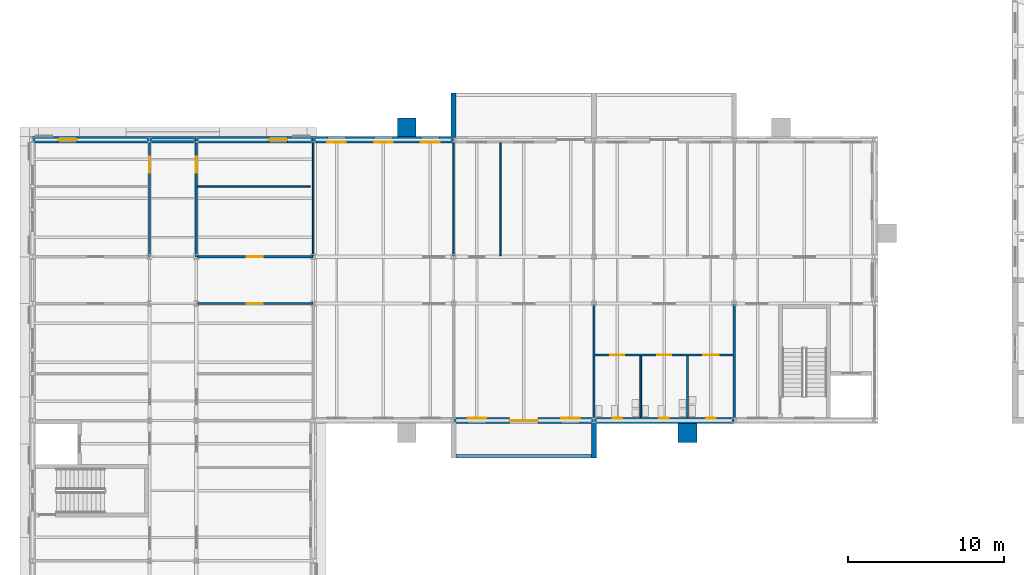
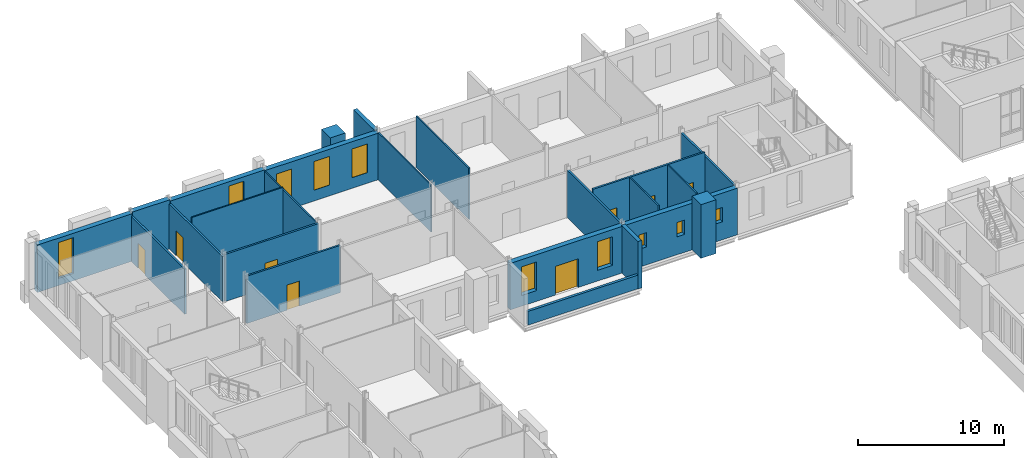
# One storey, part 82 of 131: 24 walls, 10 windows, 8 doors, 18 openings.
"""IFC4 building model written with IfcOpenShell, lengths in metres."""

from ifc_helpers import new_model, si_unit, direction, frame, frame_2d, origin, place, context, subcontext, project, spatial, rectangle, extrude, material, layer, layer_set, type_object, element, fill, save


model = new_model("IFC4")

# Units and contexts
model_context = context("Model", 3, precision=1e-05, world=origin(), true_north=direction((0.0, 1.0)))
body_context = subcontext(model_context, "Body", "Model", "MODEL_VIEW")
ifc_project = project(units=[si_unit("LENGTHUNIT", "METRE"), si_unit("AREAUNIT", "SQUARE_METRE"), si_unit("VOLUMEUNIT", "CUBIC_METRE"), si_unit("PLANEANGLEUNIT", "RADIAN"), si_unit("MASSUNIT", "GRAM", prefix="KILO")], contexts=[model_context])

# Site, building, storey
site_placement = place(None, origin())
site = spatial("IfcSite", under=ifc_project, at=site_placement, CompositionType="ELEMENT")
building_placement = place(site_placement, origin())
building = spatial("IfcBuilding", under=site, at=building_placement, Name="Golden Quay Civic Hall", CompositionType="ELEMENT")
storey_placement = place(building_placement, frame((0.0, 0.0, 9.89990234375)))
storey = spatial("IfcBuildingStorey", under=building, at=storey_placement, Name="L02", CompositionType="ELEMENT", Elevation=9.89990234375)

# Wall
ifc_material_1 = material(Name="Brick, dark clay facing", Category="masonry")
ifc_layer_1 = layer(ifc_material_1, 0.199951171875)
ifc_layer_set_1 = layer_set([ifc_layer_1], Name="Brick balustrade wall 200")
wall_type_1 = type_object("IfcWallType", Name="Brick balustrade wall 200", PredefinedType="STANDARD", material=ifc_layer_set_1)
wall_1_placement = place(storey_placement, frame((27.14990234375, 60.719970703125, 0.0), z_axis=(0.0, 0.0, 1.0), x_axis=(1.0, 0.0, 0.0)))
element("IfcWall", 1, at=wall_1_placement, inside=storey, type_object=wall_type_1, Name="Brick balustrade wall 200 L02 1", PredefinedType="STANDARD", context=body_context, shape_type="SweptSolid", body=[
    extrude(rectangle(XDim=8.7001953125, YDim=0.199951171875, at=frame_2d((4.35009765625, 0.0))), origin(), (0.0, 0.0, 1.0), 1.150146484375),
])

# Wall, openings, windows
ifc_material_2 = material(Name="Brick, dark clay facing", Category="masonry")
ifc_layer_2 = layer(ifc_material_2, 0.39990234375)
ifc_layer_set_2 = layer_set([ifc_layer_2], Name="Brick external wall 400")
wall_type_2 = type_object("IfcWallType", Name="Brick external wall 400", PredefinedType="STANDARD", material=ifc_layer_set_2)
wall_2_placement = place(storey_placement, frame((18.00927734375, 81.0, 0.0), z_axis=(0.0, 0.0, 1.0), x_axis=(1.0, 0.0, 0.0)))
wall_2 = element("IfcWall", 2, at=wall_2_placement, inside=storey, type_object=wall_type_2, Name="Brick external wall 400 L02 2", PredefinedType="STANDARD", context=body_context, shape_type="SweptSolid", body=[
    extrude(rectangle(XDim=8.981689453125, YDim=0.39990234375, at=frame_2d((4.49072265625, 0.0))), origin(), (0.0, 0.0, 1.0), 3.900146484375),
])
opening_1_placement = place(wall_2_placement, frame((0.890869140625, 0.0, 0.89990234375)))
opening_1 = element("IfcOpeningElement", 3, at=opening_1_placement, cuts=wall_2, Name="Opening WN7", PredefinedType="OPENING", context=body_context, shape_type="SweptSolid", body=[
    extrude(rectangle(XDim=1.199951171875, YDim=2.39990234375, at=frame_2d((0.60009765625, 1.199951171875))), frame((0.0, 0.2099609375, 0.0), z_axis=(0.0, -1.0, 0.0), x_axis=(1.0, 0.0, 0.0)), (0.0, 0.0, 1.0), 0.419921875),
])
opening_2_placement = place(wall_2_placement, frame((3.890869140625, 0.0, 0.89990234375)))
opening_2 = element("IfcOpeningElement", 4, at=opening_2_placement, cuts=wall_2, Name="Opening WN7", PredefinedType="OPENING", context=body_context, shape_type="SweptSolid", body=[
    extrude(rectangle(XDim=1.199951171875, YDim=2.39990234375, at=frame_2d((0.60009765625, 1.199951171875))), frame((0.0, 0.2099609375, 0.0), z_axis=(0.0, -1.0, 0.0), x_axis=(1.0, 0.0, 0.0)), (0.0, 0.0, 1.0), 0.419921875),
])
opening_3_placement = place(wall_2_placement, frame((6.890869140625, 0.0, 0.89990234375)))
opening_3 = element("IfcOpeningElement", 5, at=opening_3_placement, cuts=wall_2, Name="Opening WN7", PredefinedType="OPENING", context=body_context, shape_type="SweptSolid", body=[
    extrude(rectangle(XDim=1.199951171875, YDim=2.39990234375, at=frame_2d((0.60009765625, 1.199951171875))), frame((0.0, 0.2099609375, 0.0), z_axis=(0.0, -1.0, 0.0), x_axis=(1.0, 0.0, 0.0)), (0.0, 0.0, 1.0), 0.419921875),
])
ifc_material_3 = material(Name="Aluminium frame, double glazed", Category="aluminium")
window_type_1 = type_object("IfcWindowType", Name="Window 1200 x 2400", PartitioningType="SINGLE_PANEL", PredefinedType="WINDOW", material=ifc_material_3)
window_1_placement = place(opening_1_placement, origin())
window_1 = element("IfcWindow", 6, at=window_1_placement, inside=storey, type_object=window_type_1, Name="Window 1200 x 2400 L02 4", OverallHeight=2.39990234375, OverallWidth=1.199951171875, PartitioningType="SINGLE_PANEL", PredefinedType="WINDOW", context=body_context, shape_type="SweptSolid", body=[
    extrude(rectangle(XDim=1.199951171875, YDim=2.39990234375, at=frame_2d((0.60009765625, 1.199951171875))), frame((0.0, -0.119873046875, 0.0), z_axis=(0.0, -1.0, 0.0), x_axis=(1.0, 0.0, 0.0)), (0.0, 0.0, 1.0), 0.06005859375),
])
fill(opening_1, window_1)
window_2_placement = place(opening_2_placement, origin())
window_2 = element("IfcWindow", 7, at=window_2_placement, inside=storey, type_object=window_type_1, Name="Window 1200 x 2400 L02 5", OverallHeight=2.39990234375, OverallWidth=1.199951171875, PartitioningType="SINGLE_PANEL", PredefinedType="WINDOW", context=body_context, shape_type="SweptSolid", body=[
    extrude(rectangle(XDim=1.199951171875, YDim=2.39990234375, at=frame_2d((0.60009765625, 1.199951171875))), frame((0.0, -0.119873046875, 0.0), z_axis=(0.0, -1.0, 0.0), x_axis=(1.0, 0.0, 0.0)), (0.0, 0.0, 1.0), 0.06005859375),
])
fill(opening_2, window_2)
window_3_placement = place(opening_3_placement, origin())
window_3 = element("IfcWindow", 8, at=window_3_placement, inside=storey, type_object=window_type_1, Name="Window 1200 x 2400 L02 6", OverallHeight=2.39990234375, OverallWidth=1.199951171875, PartitioningType="SINGLE_PANEL", PredefinedType="WINDOW", context=body_context, shape_type="SweptSolid", body=[
    extrude(rectangle(XDim=1.199951171875, YDim=2.39990234375, at=frame_2d((0.60009765625, 1.199951171875))), frame((0.0, -0.119873046875, 0.0), z_axis=(0.0, -1.0, 0.0), x_axis=(1.0, 0.0, 0.0)), (0.0, 0.0, 1.0), 0.06005859375),
])
fill(opening_3, window_3)

# Wall, openings, door, windows
wall_3_placement = place(storey_placement, frame((35.990966796875, 63.0, 0.0), z_axis=(0.0, 0.0, 1.0), x_axis=(-1.0, 0.0, 0.0)))
wall_3 = element("IfcWall", 9, at=wall_3_placement, inside=storey, type_object=wall_type_2, Name="Brick external wall 400 L02 9", PredefinedType="STANDARD", context=body_context, shape_type="SweptSolid", body=[
    extrude(rectangle(XDim=8.98193359375, YDim=0.39990234375, at=frame_2d((4.490966796875, 0.0))), origin(), (0.0, 0.0, 1.0), 3.900146484375),
])
opening_4_placement = place(wall_3_placement, frame((3.591064453125, 0.0, 0.0)))
opening_4 = element("IfcOpeningElement", 10, at=opening_4_placement, cuts=wall_3, Name="Opening L02-D003", PredefinedType="OPENING", context=body_context, shape_type="SweptSolid", body=[
    extrude(rectangle(XDim=1.800048828125, YDim=2.39990234375, at=frame_2d((0.89990234375, 1.199951171875))), frame((0.0, 0.2099609375, 0.0), z_axis=(0.0, -1.0, 0.0), x_axis=(1.0, 0.0, 0.0)), (0.0, 0.0, 1.0), 0.419921875),
])
opening_5_placement = place(wall_3_placement, frame((6.89111328125, 0.0, 0.89990234375)))
opening_5 = element("IfcOpeningElement", 11, at=opening_5_placement, cuts=wall_3, Name="Opening WN7", PredefinedType="OPENING", context=body_context, shape_type="SweptSolid", body=[
    extrude(rectangle(XDim=1.199951171875, YDim=2.39990234375, at=frame_2d((0.60009765625, 1.199951171875))), frame((0.0, 0.2099609375, 0.0), z_axis=(0.0, -1.0, 0.0), x_axis=(1.0, 0.0, 0.0)), (0.0, 0.0, 1.0), 0.419921875),
])
opening_6_placement = place(wall_3_placement, frame((0.89111328125, 0.0, 0.89990234375)))
opening_6 = element("IfcOpeningElement", 12, at=opening_6_placement, cuts=wall_3, Name="Opening WN7", PredefinedType="OPENING", context=body_context, shape_type="SweptSolid", body=[
    extrude(rectangle(XDim=1.199951171875, YDim=2.39990234375, at=frame_2d((0.60009765625, 1.199951171875))), frame((0.0, 0.2099609375, 0.0), z_axis=(0.0, -1.0, 0.0), x_axis=(1.0, 0.0, 0.0)), (0.0, 0.0, 1.0), 0.419921875),
])
ifc_material_4 = material(Name="Aluminium frame, glazed", Category="aluminium")
door_type_1 = type_object("IfcDoorType", Name="Glazed double terrace door 1800 x 2400", OperationType="DOUBLE_DOOR_SINGLE_SWING", PredefinedType="DOOR", material=ifc_material_4)
door_1_placement = place(opening_4_placement, origin())
door_1 = element("IfcDoor", 13, at=door_1_placement, inside=storey, type_object=door_type_1, Name="Door L02-D003", OperationType="DOUBLE_DOOR_SINGLE_SWING", OverallHeight=2.39990234375, OverallWidth=1.800048828125, PredefinedType="DOOR", context=body_context, shape_type="SweptSolid", body=[
    extrude(rectangle(XDim=1.800048828125, YDim=2.39990234375, at=frame_2d((0.89990234375, 1.199951171875))), frame((0.0, 0.02490234375, 0.0), z_axis=(0.0, -1.0, 0.0), x_axis=(1.0, 0.0, 0.0)), (0.0, 0.0, 1.0), 0.050048828125),
])
fill(opening_4, door_1)
window_4_placement = place(opening_5_placement, origin())
window_4 = element("IfcWindow", 14, at=window_4_placement, inside=storey, type_object=window_type_1, Name="Window 1200 x 2400 L02 19", OverallHeight=2.39990234375, OverallWidth=1.199951171875, PartitioningType="SINGLE_PANEL", PredefinedType="WINDOW", context=body_context, shape_type="SweptSolid", body=[
    extrude(rectangle(XDim=1.199951171875, YDim=2.39990234375, at=frame_2d((0.60009765625, 1.199951171875))), frame((0.0, -0.119873046875, 0.0), z_axis=(0.0, -1.0, 0.0), x_axis=(1.0, 0.0, 0.0)), (0.0, 0.0, 1.0), 0.06005859375),
])
fill(opening_5, window_4)
window_5_placement = place(opening_6_placement, origin())
window_5 = element("IfcWindow", 15, at=window_5_placement, inside=storey, type_object=window_type_1, Name="Window 1200 x 2400 L02 20", OverallHeight=2.39990234375, OverallWidth=1.199951171875, PartitioningType="SINGLE_PANEL", PredefinedType="WINDOW", context=body_context, shape_type="SweptSolid", body=[
    extrude(rectangle(XDim=1.199951171875, YDim=2.39990234375, at=frame_2d((0.60009765625, 1.199951171875))), frame((0.0, -0.119873046875, 0.0), z_axis=(0.0, -1.0, 0.0), x_axis=(1.0, 0.0, 0.0)), (0.0, 0.0, 1.0), 0.06005859375),
])
fill(opening_6, window_5)

# Wall, openings, windows
wall_4_placement = place(storey_placement, frame((44.990966796875, 63.0, 0.0), z_axis=(0.0, 0.0, 1.0), x_axis=(-1.0, 0.0, 0.0)))
wall_4 = element("IfcWall", 16, at=wall_4_placement, inside=storey, type_object=wall_type_2, Name="Brick external wall 400 L02 10", PredefinedType="STANDARD", context=body_context, shape_type="SweptSolid", body=[
    extrude(rectangle(XDim=8.98193359375, YDim=0.39990234375, at=frame_2d((4.490966796875, 0.0))), origin(), (0.0, 0.0, 1.0), 3.900146484375),
])
opening_7_placement = place(wall_4_placement, frame((7.19091796875, 0.0, 1.5)))
opening_7 = element("IfcOpeningElement", 17, at=opening_7_placement, cuts=wall_4, Name="Opening WN1", PredefinedType="OPENING", context=body_context, shape_type="SweptSolid", body=[
    extrude(rectangle(XDim=0.60009765625, YDim=1.199951171875, at=frame_2d((0.300048828125, 0.60009765625))), frame((0.0, 0.2099609375, 0.0), z_axis=(0.0, -1.0, 0.0), x_axis=(1.0, 0.0, 0.0)), (0.0, 0.0, 1.0), 0.419921875),
])
opening_8_placement = place(wall_4_placement, frame((4.19091796875, 0.0, 1.5)))
opening_8 = element("IfcOpeningElement", 18, at=opening_8_placement, cuts=wall_4, Name="Opening WN1", PredefinedType="OPENING", context=body_context, shape_type="SweptSolid", body=[
    extrude(rectangle(XDim=0.60009765625, YDim=1.199951171875, at=frame_2d((0.300048828125, 0.60009765625))), frame((0.0, 0.2099609375, 0.0), z_axis=(0.0, -1.0, 0.0), x_axis=(1.0, 0.0, 0.0)), (0.0, 0.0, 1.0), 0.419921875),
])
opening_9_placement = place(wall_4_placement, frame((1.19091796875, 0.0, 1.5)))
opening_9 = element("IfcOpeningElement", 19, at=opening_9_placement, cuts=wall_4, Name="Opening WN1", PredefinedType="OPENING", context=body_context, shape_type="SweptSolid", body=[
    extrude(rectangle(XDim=0.60009765625, YDim=1.199951171875, at=frame_2d((0.300048828125, 0.60009765625))), frame((0.0, 0.2099609375, 0.0), z_axis=(0.0, -1.0, 0.0), x_axis=(1.0, 0.0, 0.0)), (0.0, 0.0, 1.0), 0.419921875),
])
ifc_material_5 = material(Name="Aluminium frame, double glazed", Category="aluminium")
window_type_2 = type_object("IfcWindowType", Name="WC window 600 x 1200", PartitioningType="SINGLE_PANEL", PredefinedType="WINDOW", material=ifc_material_5)
window_6_placement = place(opening_7_placement, origin())
window_6 = element("IfcWindow", 20, at=window_6_placement, inside=storey, type_object=window_type_2, Name="WC window 600 x 1200 L02 5", OverallHeight=1.199951171875, OverallWidth=0.60009765625, PartitioningType="SINGLE_PANEL", PredefinedType="WINDOW", context=body_context, shape_type="SweptSolid", body=[
    extrude(rectangle(XDim=0.60009765625, YDim=1.199951171875, at=frame_2d((0.300048828125, 0.60009765625))), frame((0.0, -0.119873046875, 0.0), z_axis=(0.0, -1.0, 0.0), x_axis=(1.0, 0.0, 0.0)), (0.0, 0.0, 1.0), 0.06005859375),
])
fill(opening_7, window_6)
window_7_placement = place(opening_8_placement, origin())
window_7 = element("IfcWindow", 21, at=window_7_placement, inside=storey, type_object=window_type_2, Name="WC window 600 x 1200 L02 6", OverallHeight=1.199951171875, OverallWidth=0.60009765625, PartitioningType="SINGLE_PANEL", PredefinedType="WINDOW", context=body_context, shape_type="SweptSolid", body=[
    extrude(rectangle(XDim=0.60009765625, YDim=1.199951171875, at=frame_2d((0.300048828125, 0.60009765625))), frame((0.0, -0.119873046875, 0.0), z_axis=(0.0, -1.0, 0.0), x_axis=(1.0, 0.0, 0.0)), (0.0, 0.0, 1.0), 0.06005859375),
])
fill(opening_8, window_7)
window_8_placement = place(opening_9_placement, origin())
window_8 = element("IfcWindow", 22, at=window_8_placement, inside=storey, type_object=window_type_2, Name="WC window 600 x 1200 L02 7", OverallHeight=1.199951171875, OverallWidth=0.60009765625, PartitioningType="SINGLE_PANEL", PredefinedType="WINDOW", context=body_context, shape_type="SweptSolid", body=[
    extrude(rectangle(XDim=0.60009765625, YDim=1.199951171875, at=frame_2d((0.300048828125, 0.60009765625))), frame((0.0, -0.119873046875, 0.0), z_axis=(0.0, -1.0, 0.0), x_axis=(1.0, 0.0, 0.0)), (0.0, 0.0, 1.0), 0.06005859375),
])
fill(opening_9, window_8)

# Walls
ifc_material_6 = material(Name="Brick, dark clay facing", Category="masonry")
ifc_layer_3 = layer(ifc_material_6, 0.300048828125)
ifc_layer_set_3 = layer_set([ifc_layer_3], Name="Brick loggia wall 300")
wall_type_3 = type_object("IfcWallType", Name="Brick loggia wall 300", PredefinedType="STANDARD", material=ifc_layer_set_3)
wall_5_placement = place(storey_placement, frame((36.0, 62.864990234375, 0.0), z_axis=(0.0, 0.0, 1.0), x_axis=(0.0, -1.0, 0.0)))
element("IfcWall", 23, at=wall_5_placement, inside=storey, type_object=wall_type_3, Name="Brick loggia wall 300 L02 2", PredefinedType="STANDARD", context=body_context, shape_type="SweptSolid", body=[
    extrude(rectangle(XDim=2.264892578125, YDim=0.300048828125, at=frame_2d((1.13232421875, 0.0))), origin(), (0.0, 0.0, 1.0), 3.97021484375),
])
wall_6_placement = place(storey_placement, frame((27.0, 81.135009765625, 0.0), z_axis=(0.0, 0.0, 1.0), x_axis=(0.0, 1.0, 0.0)))
element("IfcWall", 24, at=wall_6_placement, inside=storey, type_object=wall_type_3, Name="Brick loggia wall 300 L02 3", PredefinedType="STANDARD", context=body_context, shape_type="SweptSolid", body=[
    extrude(rectangle(XDim=2.864990234375, YDim=0.300048828125, at=frame_2d((1.4326171875, 0.0))), origin(), (0.0, 0.0, 1.0), 3.97021484375),
])
ifc_material_7 = material(Name="Brick, dark clay facing", Category="masonry")
ifc_layer_4 = layer(ifc_material_7, 1.199951171875)
ifc_layer_set_4 = layer_set([ifc_layer_4], Name="Brick pilaster 1200 x 1200")
wall_type_4 = type_object("IfcWallType", Name="Brick pilaster 1200 x 1200", PredefinedType="STANDARD", material=ifc_layer_set_4)
for number, where, z_axis, x_axis, name in (
    (25, (23.39990234375, 81.800048828125, 0.0), (0.0, 0.0, 1.0), (1.0, 0.0, 0.0), "Brick pilaster 1200 x 1200 L02 1"),
    (26, (41.39990234375, 62.199951171875, 0.0), (0.0, 0.0, 1.0), (1.0, 0.0, 0.0), "Brick pilaster 1200 x 1200 L02 5"),
):
    element("IfcWall", number, at=place(storey_placement, frame(where, z_axis=z_axis, x_axis=x_axis)), inside=storey, type_object=wall_type_4, Name=name, PredefinedType="STANDARD", context=body_context, shape_type="SweptSolid", body=[
        extrude(rectangle(XDim=1.2001953125, YDim=1.199951171875, at=frame_2d((0.60009765625, 0.0))), origin(), (0.0, 0.0, 1.0), 4.5),
    ])
ifc_material_8 = material(Name="Plasterboard on steel studs", Category="steel")
ifc_layer_5 = layer(ifc_material_8, 0.10009765625)
ifc_layer_set_5 = layer_set([ifc_layer_5], Name="Partition 100 stud")
wall_type_5 = type_object("IfcWallType", Name="Partition 100 stud", PredefinedType="PARTITIONING", material=ifc_layer_set_5)
wall_7_placement = place(storey_placement, frame((10.574951171875, 78.0, 0.0), z_axis=(0.0, 0.0, 1.0), x_axis=(1.0, 0.0, 0.0)))
element("IfcWall", 27, at=wall_7_placement, inside=storey, type_object=wall_type_5, Name="Partition L02-041", PredefinedType="PARTITIONING", context=body_context, shape_type="SweptSolid", body=[
    extrude(rectangle(XDim=7.22509765625, YDim=0.10009765625, at=frame_2d((3.612548828125, 0.0))), origin(), (0.0, 0.0, 1.0), 4.300048828125),
])
wall_8_placement = place(storey_placement, frame((18.0, 73.574951171875, 0.0), z_axis=(0.0, 0.0, 1.0), x_axis=(0.0, 1.0, 0.0)))
element("IfcWall", 28, at=wall_8_placement, inside=storey, type_object=wall_type_5, Name="Partition L02-043", PredefinedType="PARTITIONING", context=body_context, shape_type="SweptSolid", body=[
    extrude(rectangle(XDim=7.22509765625, YDim=0.10009765625, at=frame_2d((3.612548828125, 0.0))), origin(), (0.0, 0.0, 1.0), 3.880126953125),
])
wall_9_placement = place(storey_placement, frame((27.0, 73.574951171875, 0.0), z_axis=(0.0, 0.0, 1.0), x_axis=(0.0, 1.0, 0.0)))
element("IfcWall", 29, at=wall_9_placement, inside=storey, type_object=wall_type_5, Name="Partition L02-002", PredefinedType="PARTITIONING", context=body_context, shape_type="SweptSolid", body=[
    extrude(rectangle(XDim=7.22509765625, YDim=0.10009765625, at=frame_2d((3.612548828125, 0.0))), origin(), (0.0, 0.0, 1.0), 3.9501953125),
])
wall_10_placement = place(storey_placement, frame((30.0, 73.574951171875, 0.0), z_axis=(0.0, 0.0, 1.0), x_axis=(0.0, 1.0, 0.0)))
element("IfcWall", 30, at=wall_10_placement, inside=storey, type_object=wall_type_5, Name="Partition L02-003", PredefinedType="PARTITIONING", context=body_context, shape_type="SweptSolid", body=[
    extrude(rectangle(XDim=7.22509765625, YDim=0.10009765625, at=frame_2d((3.612548828125, 0.0))), origin(), (0.0, 0.0, 1.0), 4.300048828125),
])
for number, where, z_axis, x_axis, name in (
    (31, (39.0, 63.199951171875, 0.0), (0.0, 0.0, 1.0), (0.0, 1.0, 0.0), "Partition L02-011"),
    (32, (42.0, 63.199951171875, 0.0), (0.0, 0.0, 1.0), (0.0, 1.0, 0.0), "Partition L02-012"),
):
    element("IfcWall", number, at=place(storey_placement, frame(where, z_axis=z_axis, x_axis=x_axis)), inside=storey, type_object=wall_type_5, Name=name, PredefinedType="PARTITIONING", context=body_context, shape_type="SweptSolid", body=[
        extrude(rectangle(XDim=3.925048828125, YDim=0.10009765625, at=frame_2d((1.96240234375, 0.0))), origin(), (0.0, 0.0, 1.0), 4.300048828125),
    ])

# Wall, opening, door
ifc_material_9 = material(Name="Plasterboard on steel studs", Category="steel")
ifc_layer_6 = layer(ifc_material_9, 0.14990234375)
ifc_layer_set_6 = layer_set([ifc_layer_6], Name="Partition 150 stud fire EI 60")
wall_type_6 = type_object("IfcWallType", Name="Partition 150 stud fire EI 60", PredefinedType="PARTITIONING", material=ifc_layer_set_6)
wall_11_placement = place(storey_placement, frame((7.5, 73.5, 0.0), z_axis=(0.0, 0.0, 1.0), x_axis=(0.0, 1.0, 0.0)))
wall_11 = element("IfcWall", 33, at=wall_11_placement, inside=storey, type_object=wall_type_6, Name="Partition L02-027", PredefinedType="PARTITIONING", context=body_context, shape_type="SweptSolid", body=[
    extrude(rectangle(XDim=7.300048828125, YDim=0.14990234375, at=frame_2d((3.64990234375, 0.0))), origin(), (0.0, 0.0, 1.0), 3.780029296875),
])
opening_10_placement = place(wall_11_placement, frame((5.39990234375, 0.0, 0.0)))
opening_10 = element("IfcOpeningElement", 34, at=opening_10_placement, cuts=wall_11, Name="Opening L02-D064", PredefinedType="OPENING", context=body_context, shape_type="SweptSolid", body=[
    extrude(rectangle(XDim=1.0, YDim=2.10009765625, at=frame_2d((0.5, 1.050048828125))), frame((0.0, 0.0849609375, 0.0), z_axis=(0.0, -1.0, 0.0), x_axis=(1.0, 0.0, 0.0)), (0.0, 0.0, 1.0), 0.169921875),
])
ifc_material_10 = material(Name="Steel", Category="steel")
door_type_2 = type_object("IfcDoorType", Name="Steel fire door FD30S 1000 x 2100", OperationType="SINGLE_SWING_LEFT", PredefinedType="DOOR", material=ifc_material_10)
door_2_placement = place(opening_10_placement, origin())
door_2 = element("IfcDoor", 35, at=door_2_placement, inside=storey, type_object=door_type_2, Name="Door L02-D064", OperationType="SINGLE_SWING_LEFT", OverallHeight=2.10009765625, OverallWidth=1.0, PredefinedType="DOOR", context=body_context, shape_type="SweptSolid", body=[
    extrude(rectangle(XDim=1.0, YDim=2.10009765625, at=frame_2d((0.5, 1.050048828125))), frame((0.0, 0.02490234375, 0.0), z_axis=(0.0, -1.0, 0.0), x_axis=(1.0, 0.0, 0.0)), (0.0, 0.0, 1.0), 0.050048828125),
])
fill(opening_10, door_2)

wall_12_placement = place(storey_placement, frame((10.5, 73.5, 0.0), z_axis=(0.0, 0.0, 1.0), x_axis=(0.0, 1.0, 0.0)))
wall_12 = element("IfcWall", 36, at=wall_12_placement, inside=storey, type_object=wall_type_6, Name="Partition L02-029", PredefinedType="PARTITIONING", context=body_context, shape_type="SweptSolid", body=[
    extrude(rectangle(XDim=7.300048828125, YDim=0.14990234375, at=frame_2d((3.64990234375, 0.0))), origin(), (0.0, 0.0, 1.0), 3.780029296875),
])
opening_11_placement = place(wall_12_placement, frame((5.39990234375, 0.0, 0.0)))
opening_11 = element("IfcOpeningElement", 37, at=opening_11_placement, cuts=wall_12, Name="Opening L02-D066", PredefinedType="OPENING", context=body_context, shape_type="SweptSolid", body=[
    extrude(rectangle(XDim=1.0, YDim=2.10009765625, at=frame_2d((0.5, 1.050048828125))), frame((0.0, 0.0849609375, 0.0), z_axis=(0.0, -1.0, 0.0), x_axis=(1.0, 0.0, 0.0)), (0.0, 0.0, 1.0), 0.169921875),
])
door_3_placement = place(opening_11_placement, frame((1.0, 0.0, 0.0), z_axis=(0.0, 0.0, 1.0), x_axis=(-1.0, 0.0, 0.0)))
door_3 = element("IfcDoor", 38, at=door_3_placement, inside=storey, type_object=door_type_2, Name="Door L02-D066", OperationType="SINGLE_SWING_RIGHT", OverallHeight=2.10009765625, OverallWidth=1.0, PredefinedType="DOOR", context=body_context, shape_type="SweptSolid", body=[
    extrude(rectangle(XDim=1.0, YDim=2.10009765625, at=frame_2d((0.5, 1.050048828125))), frame((0.0, 0.025146484375, 0.0), z_axis=(0.0, -1.0, 0.0), x_axis=(1.0, 0.0, 0.0)), (0.0, 0.0, 1.0), 0.050048828125),
])
fill(opening_11, door_3)

wall_13_placement = place(storey_placement, frame((10.574951171875, 70.5, 0.0), z_axis=(0.0, 0.0, 1.0), x_axis=(1.0, 0.0, 0.0)))
wall_13 = element("IfcWall", 39, at=wall_13_placement, inside=storey, type_object=wall_type_6, Name="Partition L02-033", PredefinedType="PARTITIONING", context=body_context, shape_type="SweptSolid", body=[
    extrude(rectangle(XDim=7.425048828125, YDim=0.14990234375, at=frame_2d((3.71240234375, 0.0))), origin(), (0.0, 0.0, 1.0), 3.9501953125),
])
opening_12_placement = place(wall_13_placement, frame((3.175048828125, 0.0, 0.0)))
opening_12 = element("IfcOpeningElement", 40, at=opening_12_placement, cuts=wall_13, Name="Opening L02-D062", PredefinedType="OPENING", context=body_context, shape_type="SweptSolid", body=[
    extrude(rectangle(XDim=1.0, YDim=2.10009765625, at=frame_2d((0.5, 1.050048828125))), frame((0.0, 0.0849609375, 0.0), z_axis=(0.0, -1.0, 0.0), x_axis=(1.0, 0.0, 0.0)), (0.0, 0.0, 1.0), 0.169921875),
])
door_4_placement = place(opening_12_placement, frame((1.0, 0.0, 0.0), z_axis=(0.0, 0.0, 1.0), x_axis=(-1.0, 0.0, 0.0)))
door_4 = element("IfcDoor", 41, at=door_4_placement, inside=storey, type_object=door_type_2, Name="Door L02-D062", OperationType="SINGLE_SWING_RIGHT", OverallHeight=2.10009765625, OverallWidth=1.0, PredefinedType="DOOR", context=body_context, shape_type="SweptSolid", body=[
    extrude(rectangle(XDim=1.0, YDim=2.10009765625, at=frame_2d((0.5, 1.050048828125))), frame((0.0, 0.025146484375, 0.0), z_axis=(0.0, -1.0, 0.0), x_axis=(1.0, 0.0, 0.0)), (0.0, 0.0, 1.0), 0.050048828125),
])
fill(opening_12, door_4)

wall_14_placement = place(storey_placement, frame((10.574951171875, 73.5, 0.0), z_axis=(0.0, 0.0, 1.0), x_axis=(1.0, 0.0, 0.0)))
wall_14 = element("IfcWall", 42, at=wall_14_placement, inside=storey, type_object=wall_type_6, Name="Partition L02-034", PredefinedType="PARTITIONING", context=body_context, shape_type="SweptSolid", body=[
    extrude(rectangle(XDim=7.425048828125, YDim=0.14990234375, at=frame_2d((3.71240234375, 0.0))), origin(), (0.0, 0.0, 1.0), 3.9501953125),
])
opening_13_placement = place(wall_14_placement, frame((3.175048828125, 0.0, 0.0)))
opening_13 = element("IfcOpeningElement", 43, at=opening_13_placement, cuts=wall_14, Name="Opening L02-D065", PredefinedType="OPENING", context=body_context, shape_type="SweptSolid", body=[
    extrude(rectangle(XDim=1.0, YDim=2.10009765625, at=frame_2d((0.5, 1.050048828125))), frame((0.0, 0.0849609375, 0.0), z_axis=(0.0, -1.0, 0.0), x_axis=(1.0, 0.0, 0.0)), (0.0, 0.0, 1.0), 0.169921875),
])
door_5_placement = place(opening_13_placement, origin())
door_5 = element("IfcDoor", 44, at=door_5_placement, inside=storey, type_object=door_type_2, Name="Door L02-D065", OperationType="SINGLE_SWING_LEFT", OverallHeight=2.10009765625, OverallWidth=1.0, PredefinedType="DOOR", context=body_context, shape_type="SweptSolid", body=[
    extrude(rectangle(XDim=1.0, YDim=2.10009765625, at=frame_2d((0.5, 1.050048828125))), frame((0.0, 0.02490234375, 0.0), z_axis=(0.0, -1.0, 0.0), x_axis=(1.0, 0.0, 0.0)), (0.0, 0.0, 1.0), 0.050048828125),
])
fill(opening_13, door_5)

# Walls
for number, where, z_axis, x_axis, name in (
    (45, (36.0, 63.199951171875, 0.0), (0.0, 0.0, 1.0), (0.0, 1.0, 0.0), "Partition L02-001"),
    (46, (45.0, 63.199951171875, 0.0), (0.0, 0.0, 1.0), (0.0, 1.0, 0.0), "Partition L02-007"),
):
    element("IfcWall", number, at=place(storey_placement, frame(where, z_axis=z_axis, x_axis=x_axis)), inside=storey, type_object=wall_type_6, Name=name, PredefinedType="PARTITIONING", context=body_context, shape_type="SweptSolid", body=[
        extrude(rectangle(XDim=7.22509765625, YDim=0.14990234375, at=frame_2d((3.612548828125, 0.0))), origin(), (0.0, 0.0, 1.0), 3.9501953125),
    ])

# Wall, openings, doors
wall_15_placement = place(storey_placement, frame((36.074951171875, 67.199951171875, 0.0), z_axis=(0.0, 0.0, 1.0), x_axis=(1.0, 0.0, 0.0)))
wall_15 = element("IfcWall", 47, at=wall_15_placement, inside=storey, type_object=wall_type_6, Name="Partition L02-010", PredefinedType="PARTITIONING", context=body_context, shape_type="SweptSolid", body=[
    extrude(rectangle(XDim=8.85009765625, YDim=0.14990234375, at=frame_2d((4.425048828125, 0.0))), origin(), (0.0, 0.0, 1.0), 4.300048828125),
])
opening_14_placement = place(wall_15_placement, frame((0.97509765625, 0.0, 0.0)))
opening_14 = element("IfcOpeningElement", 48, at=opening_14_placement, cuts=wall_15, Name="Opening L02-D078", PredefinedType="OPENING", context=body_context, shape_type="SweptSolid", body=[
    extrude(rectangle(XDim=0.89990234375, YDim=2.10009765625, at=frame_2d((0.449951171875, 1.050048828125))), frame((0.0, 0.0849609375, 0.0), z_axis=(0.0, -1.0, 0.0), x_axis=(1.0, 0.0, 0.0)), (0.0, 0.0, 1.0), 0.169921875),
])
opening_15_placement = place(wall_15_placement, frame((3.97509765625, 0.0, 0.0)))
opening_15 = element("IfcOpeningElement", 49, at=opening_15_placement, cuts=wall_15, Name="Opening L02-D079", PredefinedType="OPENING", context=body_context, shape_type="SweptSolid", body=[
    extrude(rectangle(XDim=0.89990234375, YDim=2.10009765625, at=frame_2d((0.449951171875, 1.050048828125))), frame((0.0, 0.0849609375, 0.0), z_axis=(0.0, -1.0, 0.0), x_axis=(1.0, 0.0, 0.0)), (0.0, 0.0, 1.0), 0.169921875),
])
opening_16_placement = place(wall_15_placement, frame((6.925048828125, 0.0, 0.0)))
opening_16 = element("IfcOpeningElement", 50, at=opening_16_placement, cuts=wall_15, Name="Opening L02-D080", PredefinedType="OPENING", context=body_context, shape_type="SweptSolid", body=[
    extrude(rectangle(XDim=1.0, YDim=2.10009765625, at=frame_2d((0.5, 1.050048828125))), frame((0.0, 0.0849609375, 0.0), z_axis=(0.0, -1.0, 0.0), x_axis=(1.0, 0.0, 0.0)), (0.0, 0.0, 1.0), 0.169921875),
])
ifc_material_11 = material(Name="Timber", Category="wood")
door_type_3 = type_object("IfcDoorType", Name="Timber door 1000 x 2100", OperationType="SINGLE_SWING_LEFT", PredefinedType="DOOR", material=ifc_material_11)
door_6_placement = place(opening_16_placement, frame((1.0, 0.0, 0.0), z_axis=(0.0, 0.0, 1.0), x_axis=(-1.0, 0.0, 0.0)))
door_6 = element("IfcDoor", 51, at=door_6_placement, inside=storey, type_object=door_type_3, Name="Door L02-D080", OperationType="SINGLE_SWING_RIGHT", OverallHeight=2.10009765625, OverallWidth=1.0, PredefinedType="DOOR", context=body_context, shape_type="SweptSolid", body=[
    extrude(rectangle(XDim=1.0, YDim=2.10009765625, at=frame_2d((0.5, 1.050048828125))), frame((0.0, 0.025146484375, 0.0), z_axis=(0.0, -1.0, 0.0), x_axis=(1.0, 0.0, 0.0)), (0.0, 0.0, 1.0), 0.050048828125),
])
fill(opening_16, door_6)
ifc_material_12 = material(Name="Timber", Category="wood")
door_type_4 = type_object("IfcDoorType", Name="Timber door 900 x 2100", OperationType="SINGLE_SWING_LEFT", PredefinedType="DOOR", material=ifc_material_12)
door_7_placement = place(opening_14_placement, frame((0.89990234375, 0.0, 0.0), z_axis=(0.0, 0.0, 1.0), x_axis=(-1.0, 0.0, 0.0)))
door_7 = element("IfcDoor", 52, at=door_7_placement, inside=storey, type_object=door_type_4, Name="Door L02-D078", OperationType="SINGLE_SWING_RIGHT", OverallHeight=2.10009765625, OverallWidth=0.89990234375, PredefinedType="DOOR", context=body_context, shape_type="SweptSolid", body=[
    extrude(rectangle(XDim=0.89990234375, YDim=2.10009765625, at=frame_2d((0.449951171875, 1.050048828125))), frame((0.0, 0.025146484375, 0.0), z_axis=(0.0, -1.0, 0.0), x_axis=(1.0, 0.0, 0.0)), (0.0, 0.0, 1.0), 0.050048828125),
])
fill(opening_14, door_7)
door_8_placement = place(opening_15_placement, frame((0.89990234375, 0.0, 0.0), z_axis=(0.0, 0.0, 1.0), x_axis=(-1.0, 0.0, 0.0)))
door_8 = element("IfcDoor", 53, at=door_8_placement, inside=storey, type_object=door_type_4, Name="Door L02-D079", OperationType="SINGLE_SWING_RIGHT", OverallHeight=2.10009765625, OverallWidth=0.89990234375, PredefinedType="DOOR", context=body_context, shape_type="SweptSolid", body=[
    extrude(rectangle(XDim=0.89990234375, YDim=2.10009765625, at=frame_2d((0.449951171875, 1.050048828125))), frame((0.0, 0.025146484375, 0.0), z_axis=(0.0, -1.0, 0.0), x_axis=(1.0, 0.0, 0.0)), (0.0, 0.0, 1.0), 0.050048828125),
])
fill(opening_15, door_8)

# Wall, opening, window
ifc_material_13 = material(Name="Clay block, rendered, cream")
ifc_layer_7 = layer(ifc_material_13, 0.39990234375)
ifc_layer_set_7 = layer_set([ifc_layer_7], Name="Rendered block external wall 400")
wall_type_7 = type_object("IfcWallType", Name="Rendered block external wall 400", PredefinedType="STANDARD", material=ifc_layer_set_7)
wall_16_placement = place(storey_placement, frame((0.00927734375, 81.0, 0.0), z_axis=(0.0, 0.0, 1.0), x_axis=(1.0, 0.0, 0.0)))
wall_16 = element("IfcWall", 54, at=wall_16_placement, inside=storey, type_object=wall_type_7, Name="Rendered block external wall 400 L02 9", PredefinedType="STANDARD", context=body_context, shape_type="SweptSolid", body=[
    extrude(rectangle(XDim=7.4814453125, YDim=0.39990234375, at=frame_2d((3.74072265625, 0.0))), origin(), (0.0, 0.0, 1.0), 3.97021484375),
])
opening_17_placement = place(wall_16_placement, frame((1.640869140625, 0.0, 0.60009765625)))
opening_17 = element("IfcOpeningElement", 55, at=opening_17_placement, cuts=wall_16, Name="Opening WN5", PredefinedType="OPENING", context=body_context, shape_type="SweptSolid", body=[
    extrude(rectangle(XDim=1.199951171875, YDim=3.0, at=frame_2d((0.60009765625, 1.5))), frame((0.0, 0.2099609375, 0.0), z_axis=(0.0, -1.0, 0.0), x_axis=(1.0, 0.0, 0.0)), (0.0, 0.0, 1.0), 0.419921875),
])
ifc_material_14 = material(Name="Aluminium frame, double glazed", Category="aluminium")
window_type_3 = type_object("IfcWindowType", Name="Golden grid window 1200 x 3000", PartitioningType="SINGLE_PANEL", PredefinedType="WINDOW", material=ifc_material_14)
window_9_placement = place(opening_17_placement, origin())
window_9 = element("IfcWindow", 56, at=window_9_placement, inside=storey, type_object=window_type_3, Name="Golden grid window 1200 x 3000 L02 15", OverallHeight=3.0, OverallWidth=1.199951171875, PartitioningType="SINGLE_PANEL", PredefinedType="WINDOW", context=body_context, shape_type="SweptSolid", body=[
    extrude(rectangle(XDim=1.199951171875, YDim=3.0, at=frame_2d((0.60009765625, 1.5))), frame((0.0, 0.030029296875, 0.0), z_axis=(0.0, -1.0, 0.0), x_axis=(1.0, 0.0, 0.0)), (0.0, 0.0, 1.0), 0.06005859375),
])
fill(opening_17, window_9)

# Wall
wall_17_placement = place(storey_placement, frame((7.50927734375, 81.0, 0.0), z_axis=(0.0, 0.0, 1.0), x_axis=(1.0, 0.0, 0.0)))
element("IfcWall", 57, at=wall_17_placement, inside=storey, type_object=wall_type_7, Name="Rendered block external wall 400 L02 10", PredefinedType="STANDARD", context=body_context, shape_type="SweptSolid", body=[
    extrude(rectangle(XDim=2.9814453125, YDim=0.39990234375, at=frame_2d((1.49072265625, 0.0))), origin(), (0.0, 0.0, 1.0), 4.10009765625),
])

# Wall, opening, window
wall_18_placement = place(storey_placement, frame((10.50927734375, 81.0, 0.0), z_axis=(0.0, 0.0, 1.0), x_axis=(1.0, 0.0, 0.0)))
wall_18 = element("IfcWall", 58, at=wall_18_placement, inside=storey, type_object=wall_type_7, Name="Rendered block external wall 400 L02 11", PredefinedType="STANDARD", context=body_context, shape_type="SweptSolid", body=[
    extrude(rectangle(XDim=7.4814453125, YDim=0.39990234375, at=frame_2d((3.74072265625, 0.0))), origin(), (0.0, 0.0, 1.0), 3.97021484375),
])
opening_18_placement = place(wall_18_placement, frame((4.640869140625, 0.0, 0.60009765625)))
opening_18 = element("IfcOpeningElement", 59, at=opening_18_placement, cuts=wall_18, Name="Opening WN5", PredefinedType="OPENING", context=body_context, shape_type="SweptSolid", body=[
    extrude(rectangle(XDim=1.199951171875, YDim=3.0, at=frame_2d((0.60009765625, 1.5))), frame((0.0, 0.2099609375, 0.0), z_axis=(0.0, -1.0, 0.0), x_axis=(1.0, 0.0, 0.0)), (0.0, 0.0, 1.0), 0.419921875),
])
window_10_placement = place(opening_18_placement, origin())
window_10 = element("IfcWindow", 60, at=window_10_placement, inside=storey, type_object=window_type_3, Name="Golden grid window 1200 x 3000 L02 16", OverallHeight=3.0, OverallWidth=1.199951171875, PartitioningType="SINGLE_PANEL", PredefinedType="WINDOW", context=body_context, shape_type="SweptSolid", body=[
    extrude(rectangle(XDim=1.199951171875, YDim=3.0, at=frame_2d((0.60009765625, 1.5))), frame((0.0, 0.030029296875, 0.0), z_axis=(0.0, -1.0, 0.0), x_axis=(1.0, 0.0, 0.0)), (0.0, 0.0, 1.0), 0.06005859375),
])
fill(opening_18, window_10)

save(model, "model.ifc")
